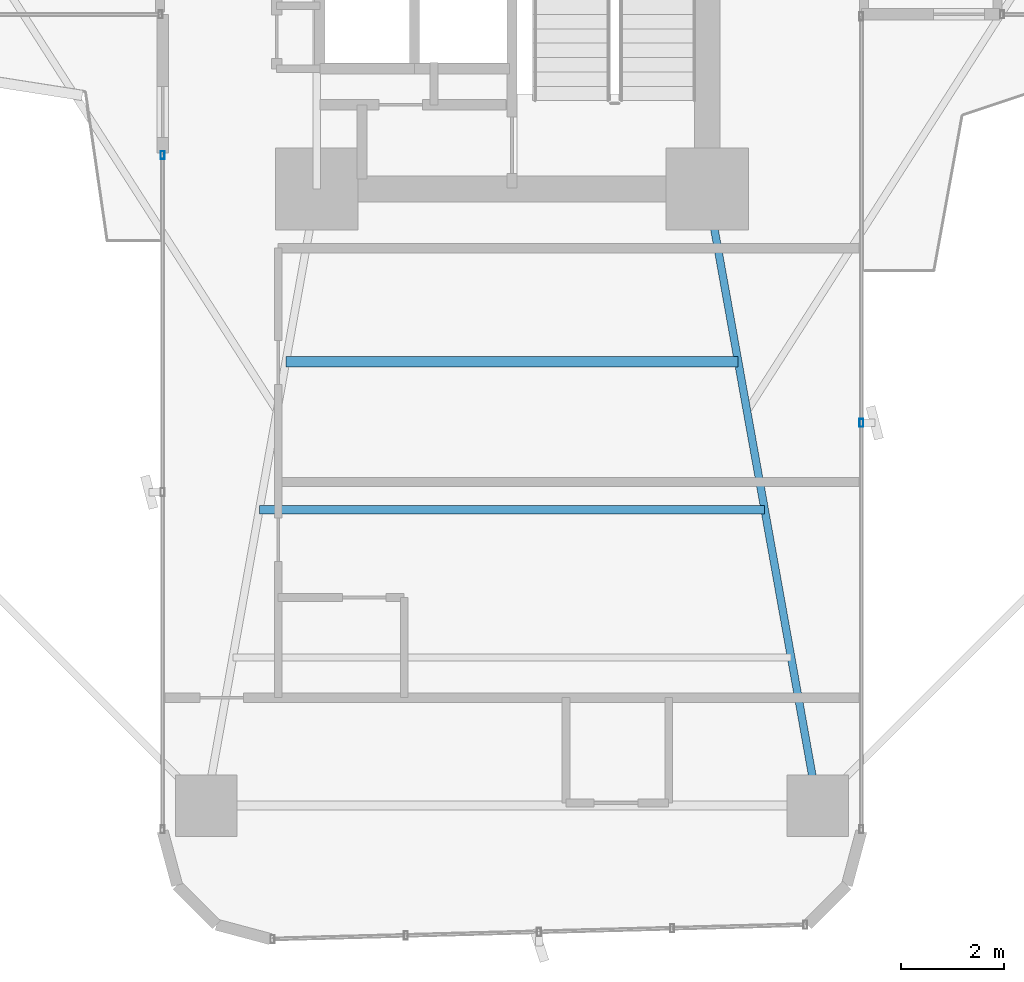
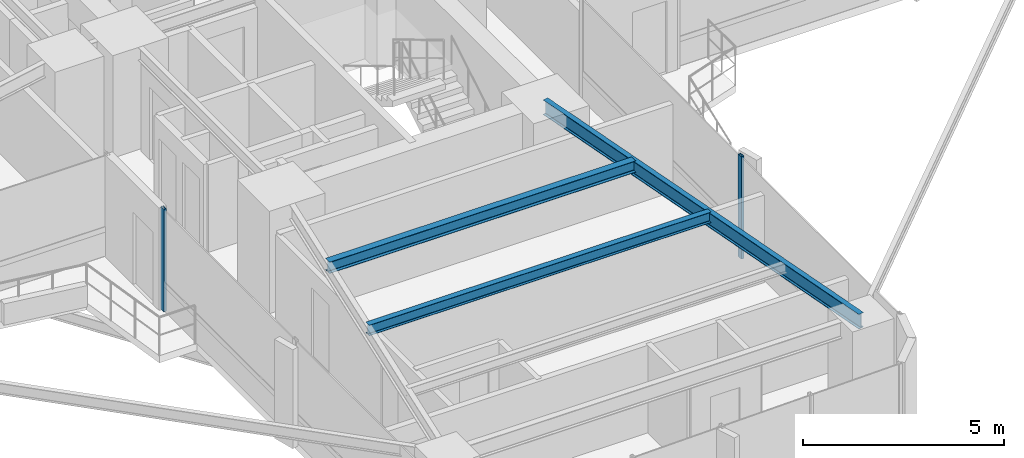
# One storey, part 4 of 25: 3 beams, 2 members, 2 elements without a shape of their own.
"""IFC4 building model written with IfcOpenShell, lengths in metres."""

from ifc_helpers import new_model, si_unit, direction, frame, origin, origin_2d, place, context, subcontext, project, spatial, hollow_rectangle, i_section, extrude, source, transform, mapped, material, material_profile, profile_set, type_object, element, aggregate, save


model = new_model("IFC4")

# Units and contexts
model_context = context("Model", 3, precision=1e-05, world=origin(), true_north=direction((0.0, 1.0)))
body_context = subcontext(model_context, "Body", "Model", "MODEL_VIEW")
ifc_project = project(units=[si_unit("LENGTHUNIT", "METRE"), si_unit("AREAUNIT", "SQUARE_METRE"), si_unit("VOLUMEUNIT", "CUBIC_METRE"), si_unit("PLANEANGLEUNIT", "RADIAN"), si_unit("MASSUNIT", "GRAM", prefix="KILO")], contexts=[model_context])

# Site, building, storey
site_placement = place(None, origin())
site = spatial("IfcSite", under=ifc_project, at=site_placement, CompositionType="ELEMENT")
building_placement = place(site_placement, origin())
building = spatial("IfcBuilding", under=site, at=building_placement, Name="Sahyath Konkavel Grand Hotel", CompositionType="ELEMENT")
storey_placement = place(building_placement, frame((0.0, 0.0, 57.75)))
storey = spatial("IfcBuildingStorey", under=building, at=storey_placement, Name="L15", CompositionType="ELEMENT", Elevation=57.75)

# Beams
ifc_material_1 = material(Name="Steel E350", Category="steel")
ifc_material_profile_1 = material_profile(ifc_material_1, i_section(OverallWidth=0.14990234375, OverallDepth=0.449951171875, WebThickness=0.009521484375, FlangeThickness=0.017333984375, FilletRadius=0.014892578125, at=origin_2d()), Name="ISMB 450")
ifc_profile_set_1 = profile_set([ifc_material_profile_1], Name="Steel E350")
beam_type_1 = type_object("IfcBeamType", Name="BM-ISMB450", PredefinedType="BEAM", material=ifc_profile_set_1)
shared_shape_1 = source(origin(), body_context, "Body", "SweptSolid", [
    extrude(i_section(OverallWidth=0.14990234375, OverallDepth=0.449951171875, WebThickness=0.009521484375, FlangeThickness=0.017333984375, FilletRadius=0.014892578125, at=origin_2d()), origin(), (0.0, 0.0, 1.0), 12.191162109375),
])
beam_1_placement = place(storey_placement, frame((3.800048828125, -10.199951171875, 2.885009765625), z_axis=(0.176350650305, -0.984327409014, 0.0), x_axis=(0.984327409014, 0.176350650305, 0.0)))
element("IfcBeam", 1, at=beam_1_placement, inside=storey, type_object=beam_type_1, Name="L15 Cruciform Radial Girder SB", PredefinedType="BEAM", context=body_context, shape_type="MappedRepresentation", body=[
    mapped(shared_shape_1, transform((0.0, 0.0, 0.0), scale=1.0)),
])
ifc_material_profile_2 = material_profile(ifc_material_1, i_section(OverallWidth=0.199951171875, OverallDepth=0.35009765625, WebThickness=0.008056640625, FlangeThickness=0.011474609375, FilletRadius=0.013916015625, at=origin_2d()), Name="ISWB 350")
ifc_profile_set_2 = profile_set([ifc_material_profile_2], Name="Steel E350")
beam_type_2 = type_object("IfcBeamType", Name="BM-ISWB350", PredefinedType="BEAM", material=ifc_profile_set_2)
shared_shape_2 = source(origin(), body_context, "Body", "SweptSolid", [
    extrude(i_section(OverallWidth=0.199951171875, OverallDepth=0.35009765625, WebThickness=0.008056640625, FlangeThickness=0.011474609375, FilletRadius=0.013916015625, at=origin_2d()), origin(), (0.0, 0.0, 1.0), 8.80419921875),
])
beam_2_placement = place(storey_placement, frame((-4.402099609375, -13.56005859375, 2.93505859375), z_axis=(1.0, 0.0, 0.0), x_axis=(0.0, 1.0, 0.0)))
element("IfcBeam", 2, at=beam_2_placement, inside=storey, type_object=beam_type_2, Name="L15 Secondary Floor Beam S-1", PredefinedType="BEAM", context=body_context, shape_type="MappedRepresentation", body=[
    mapped(shared_shape_2, transform((0.0, 0.0, 0.0), scale=1.0)),
])
ifc_material_profile_3 = material_profile(ifc_material_1, i_section(OverallWidth=0.1650390625, OverallDepth=0.324951171875, WebThickness=0.007080078125, FlangeThickness=0.009765625, FilletRadius=0.014892578125, at=origin_2d()), Name="ISLB 325")
ifc_profile_set_3 = profile_set([ifc_material_profile_3], Name="Steel E350")
beam_type_3 = type_object("IfcBeamType", Name="BM-ISLB325", PredefinedType="BEAM", material=ifc_profile_set_3)
shared_shape_3 = source(origin(), body_context, "Body", "SweptSolid", [
    extrude(i_section(OverallWidth=0.1650390625, OverallDepth=0.324951171875, WebThickness=0.007080078125, FlangeThickness=0.009765625, FilletRadius=0.014892578125, at=origin_2d()), origin(), (0.0, 0.0, 1.0), 9.8359375),
])
beam_3_placement = place(storey_placement, frame((-4.91796875, -16.43994140625, 2.947509765625), z_axis=(1.0, 0.0, 0.0), x_axis=(0.0, 1.0, 0.0)))
element("IfcBeam", 3, at=beam_3_placement, inside=storey, type_object=beam_type_3, Name="L15 Secondary Floor Beam S-2", PredefinedType="BEAM", context=body_context, shape_type="MappedRepresentation", body=[
    mapped(shared_shape_3, transform((0.0, 0.0, 0.0), scale=1.0)),
])

# Curtain wall, member
ifc_material_2 = material(Name="Anodised Bronze Aluminium & Low-E Glazing", Category="aluminium")
curtain_wall_type = type_object("IfcCurtainWallType", Name="CW-ZONE1", PredefinedType="NOTDEFINED", material=ifc_material_2)
curtain_wall_1_placement = place(storey_placement, origin())
curtain_wall_1 = element("IfcCurtainWall", 4, at=curtain_wall_1_placement, inside=storey, type_object=curtain_wall_type, Name="L15 Unitised Curtain Wall F24", PredefinedType="NOTDEFINED")
ifc_material_3 = material(Name="Anodised Bronze Aluminium", Category="aluminium")
ifc_material_profile_4 = material_profile(ifc_material_3, hollow_rectangle(XDim=0.080078125, YDim=0.159912109375, WallThickness=0.006103515625, at=origin_2d()), Name="RHS 160x80x6")
ifc_profile_set_4 = profile_set([ifc_material_profile_4], Name="Anodised Bronze Aluminium")
member_type = type_object("IfcMemberType", Name="CW-MUL-160", PredefinedType="MULLION", material=ifc_profile_set_4)
shared_shape_4 = source(origin(), body_context, "Body", "SweptSolid", [
    extrude(hollow_rectangle(XDim=0.080078125, YDim=0.159912109375, WallThickness=0.006103515625, at=origin_2d()), origin(), (0.0, 0.0, 1.0), 3.110107421875),
])
member_1_placement = place(storey_placement, frame((-6.800048828125, -9.5400390625, 0.0), z_axis=(0.0, 0.0, 1.0), x_axis=(1.0, 0.0, 0.0)))
member_1 = element("IfcMember", 5, at=member_1_placement, type_object=member_type, Name="L15 Curtain Wall Mullion F24-0", PredefinedType="MULLION", context=body_context, shape_type="MappedRepresentation", body=[
    mapped(shared_shape_4, transform((0.0, 0.0, 0.0), scale=1.0)),
])
aggregate(curtain_wall_1, [member_1])

curtain_wall_2_placement = place(storey_placement, origin())
curtain_wall_2 = element("IfcCurtainWall", 6, at=curtain_wall_2_placement, inside=storey, type_object=curtain_wall_type, Name="L15 Unitised Curtain Wall F31", PredefinedType="NOTDEFINED")
member_2_placement = place(storey_placement, frame((6.800048828125, -14.75, 0.0), z_axis=(0.0, 0.0, 1.0), x_axis=(1.0, 0.0, 0.0)))
member_2 = element("IfcMember", 7, at=member_2_placement, type_object=member_type, Name="L15 Curtain Wall Mullion F31-1", PredefinedType="MULLION", context=body_context, shape_type="MappedRepresentation", body=[
    mapped(shared_shape_4, transform((0.0, 0.0, 0.0), scale=1.0)),
])
aggregate(curtain_wall_2, [member_2])

save(model, "model.ifc")
